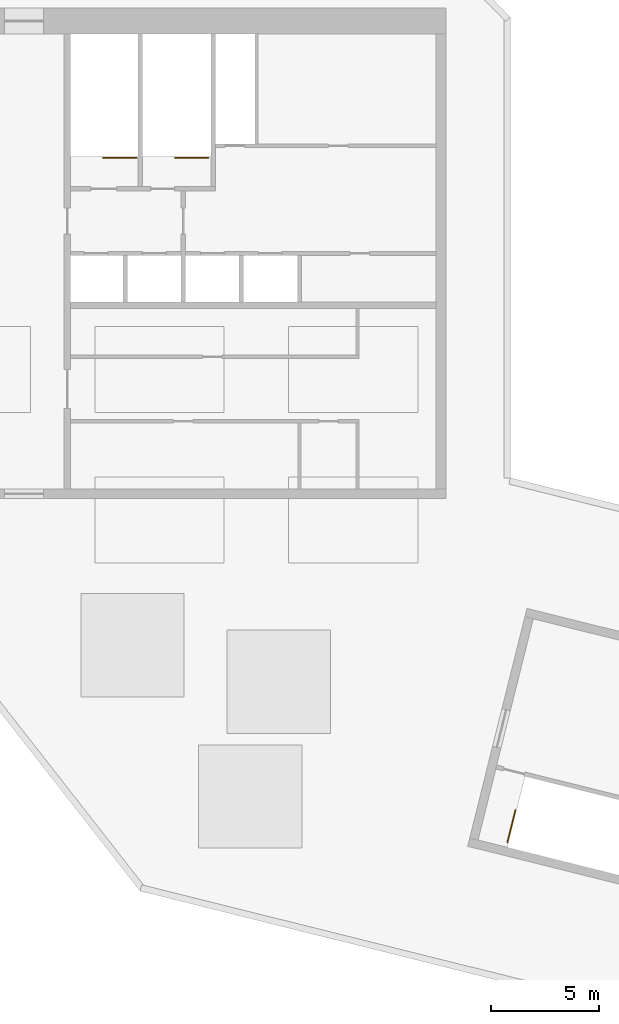
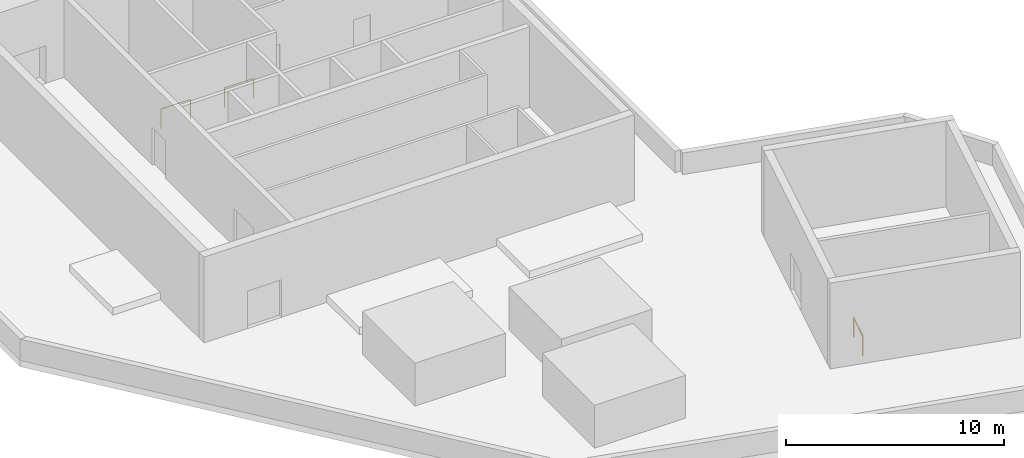
# One storey, part 3 of 4: 3 railings.
"""IFC4 building model written with IfcOpenShell, lengths in metres."""

from ifc_helpers import new_model, si_unit, direction, frame, origin, origin_2d, place, context, subcontext, project, spatial, circle, extrude, material, type_object, element, save


model = new_model("IFC4")

# Units and contexts
model_context = context("Model", 3, precision=1e-05, world=origin(), true_north=direction((0.0, 1.0)))
body_context = subcontext(model_context, "Body", "Model", "MODEL_VIEW")
ifc_project = project(units=[si_unit("LENGTHUNIT", "METRE"), si_unit("AREAUNIT", "SQUARE_METRE"), si_unit("VOLUMEUNIT", "CUBIC_METRE"), si_unit("PLANEANGLEUNIT", "RADIAN"), si_unit("MASSUNIT", "GRAM", prefix="KILO")], contexts=[model_context])

# Site, building, storey
site_placement = place(None, origin())
site = spatial("IfcSite", under=ifc_project, at=site_placement, CompositionType="ELEMENT")
building_placement = place(site_placement, origin())
building = spatial("IfcBuilding", under=site, at=building_placement, Name="Meshkara Civic Tower", CompositionType="ELEMENT")
storey_placement = place(building_placement, frame((0.0, 0.0, 429.0)))
storey = spatial("IfcBuildingStorey", under=building, at=storey_placement, Name="Roof", CompositionType="ELEMENT", Elevation=429.0)

# Railings
ifc_material = material(Name="Steel guard", Category="steel")
railing_type = type_object("IfcRailingType", Name="Stair guard 1100", PredefinedType="GUARDRAIL", material=ifc_material)
railing_1_placement = place(storey_placement, frame((16.425048828125, 29.949951171875, 0.0)))
element("IfcRailing", 1, at=railing_1_placement, inside=storey, type_object=railing_type, Name="Roof ST1 top well guard 1", PredefinedType="GUARDRAIL", context=body_context, shape_type="SweptSolid", body=[
    extrude(circle(Radius=0.02392578125, at=origin_2d()), frame((0.0, 0.0, 1.076171875), z_axis=(-1.0, 0.0, 0.0), x_axis=(0.0, -1.0, 0.0)), (0.0, 0.0, 1.0), 1.550048828125),
    extrude(circle(Radius=0.02099609375, at=origin_2d()), origin(), (0.0, 0.0, 1.0), 1.052001953125),
    extrude(circle(Radius=0.02099609375, at=origin_2d()), frame((-1.550048828125, 0.0, 0.0)), (0.0, 0.0, 1.0), 1.052001953125),
])
railing_2_placement = place(storey_placement, frame((19.77490234375, 29.949951171875, 0.0)))
element("IfcRailing", 2, at=railing_2_placement, inside=storey, type_object=railing_type, Name="Roof ST2 top well guard 1", PredefinedType="GUARDRAIL", context=body_context, shape_type="SweptSolid", body=[
    extrude(circle(Radius=0.02392578125, at=origin_2d()), frame((0.0, 0.0, 1.076171875), z_axis=(-1.0, 0.0, 0.0), x_axis=(0.0, -1.0, 0.0)), (0.0, 0.0, 1.0), 1.5498046875),
    extrude(circle(Radius=0.02099609375, at=origin_2d()), origin(), (0.0, 0.0, 1.0), 1.052001953125),
    extrude(circle(Radius=0.02099609375, at=origin_2d()), frame((-1.5498046875, 0.0, 0.0)), (0.0, 0.0, 1.0), 1.052001953125),
])
railing_3_placement = place(storey_placement, frame((33.66796875, -1.874755859375, 0.0)))
element("IfcRailing", 3, at=railing_3_placement, inside=storey, type_object=railing_type, Name="Roof ESB9 top well guard 1", PredefinedType="GUARDRAIL", context=body_context, shape_type="SweptSolid", body=[
    extrude(circle(Radius=0.02392578125, at=origin_2d()), frame((0.0, 0.0, 1.076171875), z_axis=(0.240830452989, 0.970567201647, 0.0), x_axis=(-0.970567201647, 0.240830452989, 0.0)), (0.0, 0.0, 1.0), 1.550048828125),
    extrude(circle(Radius=0.02099609375, at=origin_2d()), origin(), (0.0, 0.0, 1.0), 1.052001953125),
    extrude(circle(Radius=0.02099609375, at=origin_2d()), frame((0.373291015625, 1.50439453125, 0.0)), (0.0, 0.0, 1.0), 1.052001953125),
])

save(model, "model.ifc")
